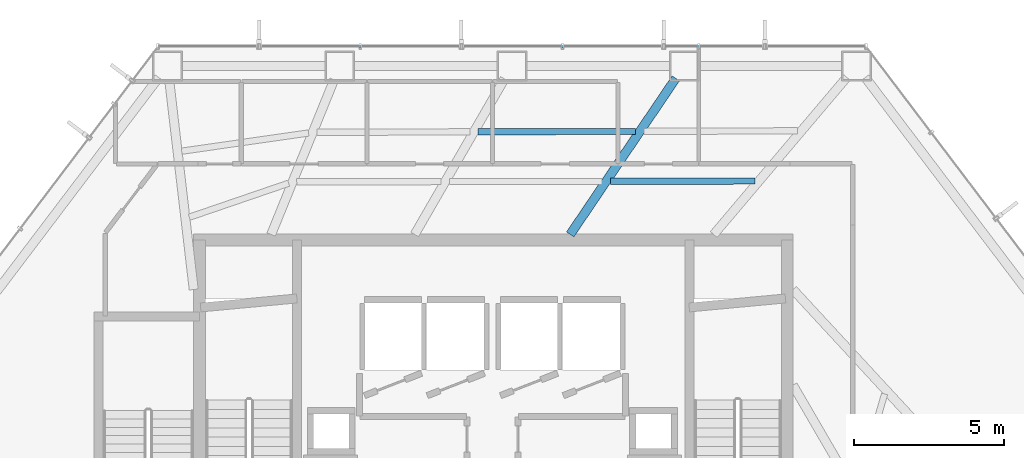
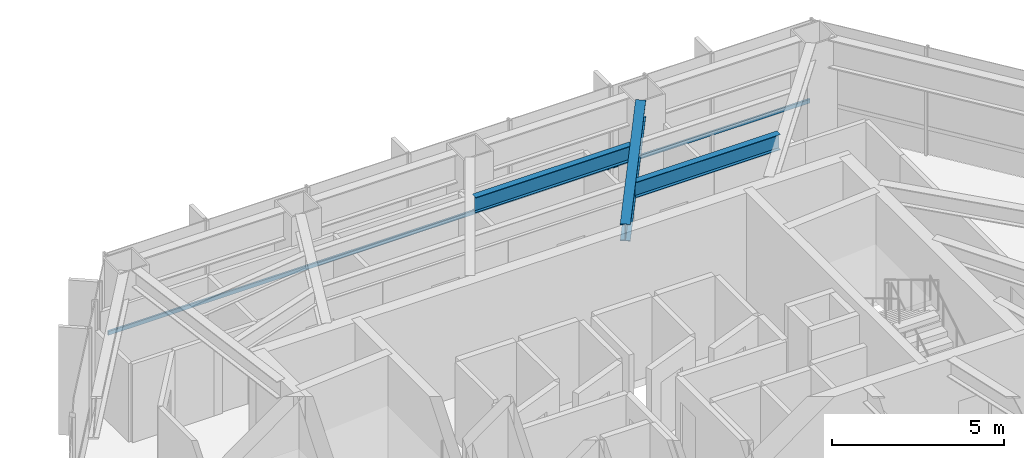
# One storey, part 14 of 25: 3 beams, 1 member, 1 element without a shape of its own.
"""IFC4 building model written with IfcOpenShell, lengths in metres."""

from ifc_helpers import new_model, si_unit, direction, frame, origin, origin_2d, place, context, subcontext, project, spatial, hollow_rectangle, i_section, extrude, material, layer, layer_set, material_profile, profile_set, type_object, element, aggregate, save


model = new_model("IFC4")

# Units and contexts
model_context = context("Model", 3, precision=1e-05, world=origin(), true_north=direction((0.0, 1.0)))
body_context = subcontext(model_context, "Body", "Model", "MODEL_VIEW")
ifc_project = project(units=[si_unit("LENGTHUNIT", "METRE"), si_unit("AREAUNIT", "SQUARE_METRE"), si_unit("VOLUMEUNIT", "CUBIC_METRE"), si_unit("PLANEANGLEUNIT", "RADIAN"), si_unit("MASSUNIT", "GRAM", prefix="KILO")], contexts=[model_context])

# Site, building, storey
site_placement = place(None, origin())
site = spatial("IfcSite", under=ifc_project, at=site_placement, CompositionType="ELEMENT")
building_placement = place(site_placement, origin())
building = spatial("IfcBuilding", under=site, at=building_placement, Name="Zarrinselat Tower", CompositionType="ELEMENT")
storey_placement = place(building_placement, frame((0.0, 0.0, 56.10009765625)))
storey = spatial("IfcBuildingStorey", under=building, at=storey_placement, Name="L13", CompositionType="ELEMENT", Elevation=56.10009765625)

# Beams
ifc_material_1 = material(Name="Steel S355J2", Category="steel")
ifc_material_profile_1 = material_profile(ifc_material_1, i_section(OverallWidth=0.300048828125, OverallDepth=0.60009765625, WebThickness=0.015380859375, FlangeThickness=0.030029296875, at=origin_2d()), Name="HEB 600")
ifc_profile_set_1 = profile_set([ifc_material_profile_1], Name="Steel S355J2")
beam_type_1 = type_object("IfcBeamType", Name="BM-HEB600", PredefinedType="BEAM", material=ifc_profile_set_1)
beam_1_placement = place(storey_placement, frame((41.0, 43.639892578125, 3.52001953125), z_axis=(0.560343745781, 0.82826015633, 0.0), x_axis=(-0.82826015633, 0.560343745781, 0.0)))
element("IfcBeam", 1, at=beam_1_placement, inside=storey, type_object=beam_type_1, Name="L13 Radial Primary Girder RG02", PredefinedType="BEAM", context=body_context, shape_type="SweptSolid", body=[
    extrude(i_section(OverallWidth=0.300048828125, OverallDepth=0.60009765625, WebThickness=0.015380859375, FlangeThickness=0.030029296875, at=origin_2d()), origin(), (0.0, 0.0, 1.0), 6.304931640625),
])
ifc_material_2 = material(Name="Steel S355J2", Category="steel")
ifc_material_profile_2 = material_profile(ifc_material_2, i_section(OverallWidth=0.2099609375, OverallDepth=0.550048828125, WebThickness=0.010986328125, FlangeThickness=0.01708984375, at=origin_2d()), Name="IPE 550")
ifc_profile_set_2 = profile_set([ifc_material_profile_2], Name="Steel S355J2")
beam_type_2 = type_object("IfcBeamType", Name="BM-IPE550", PredefinedType="JOIST", material=ifc_profile_set_2)
beam_2_placement = place(storey_placement, frame((42.34130859375, 45.415771484375, 3.544921875), z_axis=(0.999997639447, 0.002172809424, 0.0), x_axis=(-0.002172809424, 0.999997639447, 0.0)))
element("IfcBeam", 2, at=beam_2_placement, inside=storey, type_object=beam_type_2, Name="L13 Composite Floor Joist 7-2", PredefinedType="JOIST", context=body_context, shape_type="SweptSolid", body=[
    extrude(i_section(OverallWidth=0.2099609375, OverallDepth=0.550048828125, WebThickness=0.010986328125, FlangeThickness=0.01708984375, at=origin_2d()), origin(), (0.0, 0.0, 1.0), 4.83154296875),
])
beam_3_placement = place(storey_placement, frame((37.922119140625, 47.07421875, 3.544921875), z_axis=(0.999997423344, 0.002270089124, 0.0), x_axis=(-0.002270089124, 0.999997423344, 0.0)))
element("IfcBeam", 3, at=beam_3_placement, inside=storey, type_object=beam_type_2, Name="L13 Composite Floor Joist 8-1", PredefinedType="JOIST", context=body_context, shape_type="SweptSolid", body=[
    extrude(i_section(OverallWidth=0.2099609375, OverallDepth=0.550048828125, WebThickness=0.010986328125, FlangeThickness=0.01708984375, at=origin_2d()), origin(), (0.0, 0.0, 1.0), 5.269775390625),
])

# Curtain wall, member
ifc_material_3 = material(Name="Extruded Aluminium Alloy EN AW-6063 T6", Category="aluminium")
ifc_layer = layer(ifc_material_3, 0.18505859375)
ifc_layer_set = layer_set([ifc_layer], Name="Extruded Aluminium Alloy EN AW-6063 T6")
curtain_wall_type = type_object("IfcCurtainWallType", Name="CWS-OFF", PredefinedType="NOTDEFINED", material=ifc_layer_set)
curtain_wall_placement = place(storey_placement, origin())
curtain_wall = element("IfcCurtainWall", 4, at=curtain_wall_placement, inside=storey, type_object=curtain_wall_type, Name="L13 Unitised Curtain Wall CW-L13-E01", PredefinedType="NOTDEFINED")
ifc_material_4 = material(Name="Extruded Aluminium Alloy EN AW-6063 T6", Category="aluminium")
ifc_material_profile_3 = material_profile(ifc_material_4, hollow_rectangle(XDim=0.06005859375, YDim=0.139892578125, WallThickness=0.00390625, at=origin_2d()), Name="RHS 140x60x4")
ifc_profile_set_3 = profile_set([ifc_material_profile_3], Name="Extruded Aluminium Alloy EN AW-6063 T6")
member_type = type_object("IfcMemberType", Name="MEM-CW-TRN", PredefinedType="USERDEFINED", material=ifc_profile_set_3)
member_placement = place(storey_placement, frame((50.80712890625, 49.927734375, 0.949951171875), z_axis=(-1.0, 0.0, 0.0), x_axis=(0.0, -1.0, 0.0)))
member = element("IfcMember", 5, at=member_placement, type_object=member_type, Name="CW-L13-E01 Transom 1", ObjectType="TRANSOM", PredefinedType="USERDEFINED", context=body_context, shape_type="SweptSolid", body=[
    extrude(hollow_rectangle(XDim=0.06005859375, YDim=0.139892578125, WallThickness=0.00390625, at=origin_2d()), origin(), (0.0, 0.0, 1.0), 23.505615234375),
])
aggregate(curtain_wall, [member])

save(model, "model.ifc")
